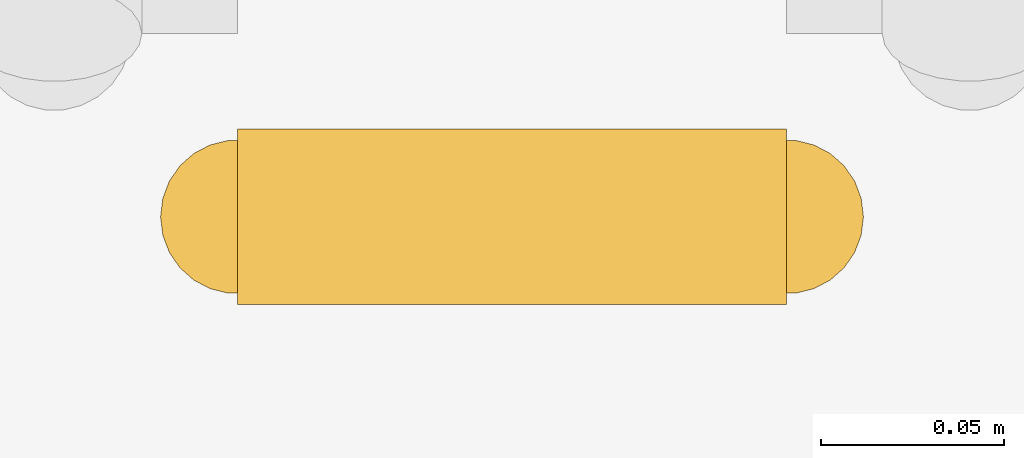
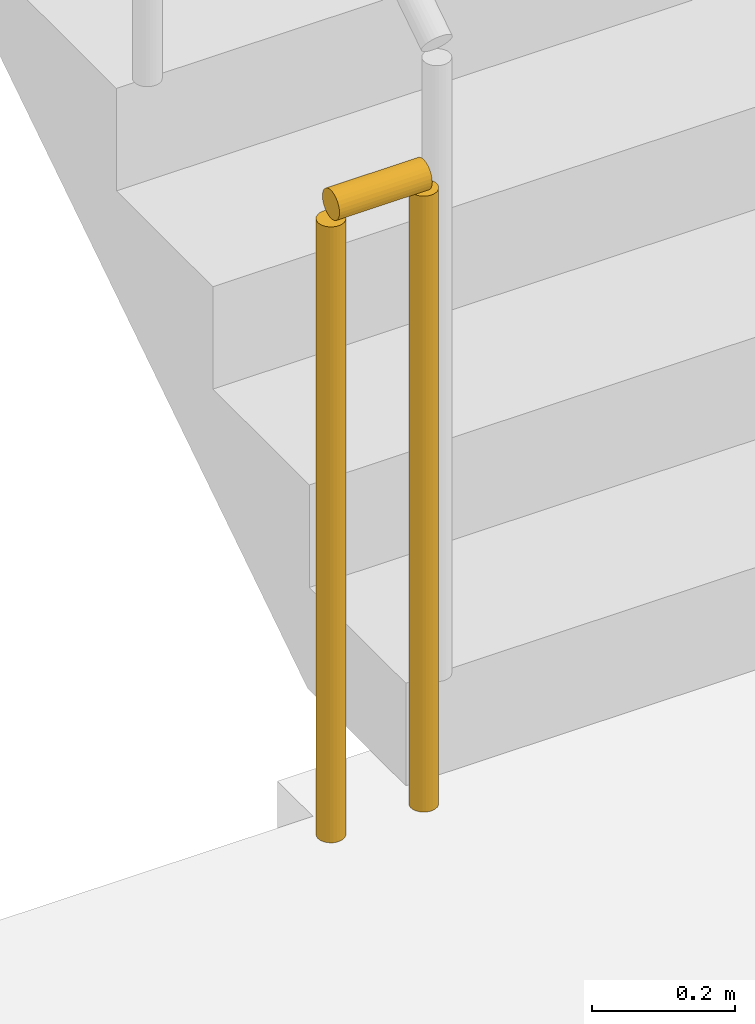
# One storey, part 16 of 19: 1 railing.
"""IFC4 building model written with IfcOpenShell, lengths in metres."""

import ifcopenshell
import ifcopenshell.guid

model = None  # the IFC model being written
_history = None  # IfcOwnerHistory: only IFC2X3 demands one
_inside = {}  # id of a spatial element -> (the spatial element, [elements in it])
_under = {}  # id of a project, library or spatial element -> (it, [spatial elements below it])
_declared = {}  # id of a project -> (the project, [libraries it declares])
_typed = {}  # id of a type object -> (the type object, [elements of that type])
_made_of = {}  # id of a material, layer set ... -> (it, [elements and type objects made of it])


def new_model(schema):
    """Start an empty IFC model of exactly this schema.

    Asked for "IFC4X3", IfcOpenShell would pick the latest addendum, in which some entities
    have other attributes; the version numbers below select the first issue.
    IFC2X3 requires an IfcOwnerHistory on every rooted entity: one is made here for all.
    """
    global model, _history
    if schema == "IFC4X3":
        model = ifcopenshell.file(schema_version=(4, 3, 0, 0))
    else:
        model = ifcopenshell.file(schema=schema)
    _inside.clear()
    _under.clear()
    _declared.clear()
    _typed.clear()
    _made_of.clear()
    _history = None
    if model.schema == "IFC2X3":
        org = make("IfcOrganization", Name="unknown")
        user = make(
            "IfcPersonAndOrganization",
            ThePerson=make("IfcPerson", FamilyName="unknown"),
            TheOrganization=org,
        )
        app = make(
            "IfcApplication",
            ApplicationDeveloper=org,
            Version="unknown",
            ApplicationFullName="unknown",
            ApplicationIdentifier="unknown",
        )
        _history = make(
            "IfcOwnerHistory",
            OwningUser=user,
            OwningApplication=app,
            ChangeAction="ADDED",
            CreationDate=0,
        )
    return model


def make(cls, **values):
    """One entity of the class cls with the attributes given. An attribute that is None is left unset."""
    return model.create_entity(
        cls, **{name: value for name, value in values.items() if value is not None}
    )


def rooted(cls, **values):
    """An entity with a GlobalId (a new one), such as an element, a storey or a relation."""
    return make(cls, GlobalId=ifcopenshell.guid.new(), OwnerHistory=_history, **values)


def si_unit(unit_type, name, prefix=None):
    """IfcSIUnit, for example si_unit("LENGTHUNIT", "METRE", prefix="MILLI")."""
    return make("IfcSIUnit", UnitType=unit_type, Prefix=prefix, Name=name)


def assignment(units):
    """IfcUnitAssignment: the units of a project."""
    return None if units is None else make("IfcUnitAssignment", Units=units)


def point(xyz):
    """IfcCartesianPoint."""
    return None if xyz is None else make("IfcCartesianPoint", Coordinates=xyz)


def direction(xyz):
    """IfcDirection."""
    return None if xyz is None else make("IfcDirection", DirectionRatios=xyz)


def frame(location, z_axis=None, x_axis=None):
    """IfcAxis2Placement3D, a coordinate frame: its origin and axes. An axis left out is left unset."""
    return make(
        "IfcAxis2Placement3D",
        Location=point(location),
        Axis=direction(z_axis),
        RefDirection=direction(x_axis),
    )


def frame_2d(location, x_axis=None):
    """IfcAxis2Placement2D, a coordinate frame in the plane: its origin and x axis."""
    return make(
        "IfcAxis2Placement2D", Location=point(location), RefDirection=direction(x_axis)
    )


def origin():
    """The frame at (0, 0, 0) with its axes left unset."""
    return frame((0.0, 0.0, 0.0))


def origin_2d():
    """The frame at (0, 0) in the plane with its x axis left unset."""
    return frame_2d((0.0, 0.0))


def place(relative_to, where):
    """IfcLocalPlacement: puts the frame where relative to a parent placement (None: the world)."""
    return make(
        "IfcLocalPlacement", PlacementRelTo=relative_to, RelativePlacement=where
    )


def context(
    kind, dimensions, precision=None, world=None, true_north=None, identifier=None
):
    """IfcGeometricRepresentationContext, for example the 3D "Model" context."""
    return make(
        "IfcGeometricRepresentationContext",
        ContextIdentifier=identifier,
        ContextType=kind,
        CoordinateSpaceDimension=dimensions,
        Precision=precision,
        WorldCoordinateSystem=world,
        TrueNorth=true_north,
    )


def subcontext(parent, identifier, kind, view, scale=None):
    """IfcGeometricRepresentationSubContext, for example "Body" below "Model"."""
    return make(
        "IfcGeometricRepresentationSubContext",
        ContextIdentifier=identifier,
        ContextType=kind,
        ParentContext=parent,
        TargetScale=scale,
        TargetView=view,
    )


def project(units=None, contexts=None):
    """IfcProject with its units and contexts."""
    return rooted(
        "IfcProject",
        Name="project",
        RepresentationContexts=contexts,
        UnitsInContext=assignment(units),
    )


def spatial(cls, under=None, at=None, **own):
    """A site, building, storey or space (cls), placed at a placement, below another one or the project."""
    s = rooted(cls, ObjectPlacement=at, **own)
    if under is not None:
        _under.setdefault(under.id(), (under, []))[1].append(s)
    return s


def profile(cls, at=None, kind="AREA", **sizes):
    """A parametric profile (cls). Its sizes go by their IFC names, for example OverallWidth=200.0."""
    return make(cls, ProfileType=kind, Position=at, **sizes)


def circle(**sizes):
    """IfcCircleProfileDef."""
    return profile("IfcCircleProfileDef", **sizes)


def extrude(swept, where, along, depth):
    """IfcExtrudedAreaSolid: the profile swept, set in the frame where, extruded along a direction by depth."""
    return make(
        "IfcExtrudedAreaSolid",
        SweptArea=swept,
        Position=where,
        ExtrudedDirection=direction(along),
        Depth=depth,
    )


def shape(context_of_items, identifier, shape_type, items):
    """IfcShapeRepresentation: the items that make up one representation, for example the "Body"."""
    return make(
        "IfcShapeRepresentation",
        ContextOfItems=context_of_items,
        RepresentationIdentifier=identifier,
        RepresentationType=shape_type,
        Items=items,
    )


def material(Name=None, Category=None):
    """IfcMaterial."""
    return make("IfcMaterial", Name=Name, Category=Category)


def made_of(thing, what):
    """Note that an element or type object is made of a material, layer set ...; save() writes the relation."""
    if what is not None:
        _made_of.setdefault(what.id(), (what, []))[1].append(thing)
    return thing


def type_object(cls, material=None, **own):
    """A type object (cls), such as IfcWallType, which elements share."""
    return made_of(rooted(cls, **own), material)


def element(
    cls,
    number,
    at=None,
    inside=None,
    cuts=None,
    type_object=None,
    material=None,
    context=None,
    identifier="Body",
    shape_type=None,
    held_by="IfcProductDefinitionShape",
    body=None,
    shapes=None,
    **own,
):
    """One element of the class cls, such as IfcWall. Its Tag is "e" and its number.

    at: its placement. inside: the storey or other place that contains it. cuts: it is an
    opening in that element (IfcRelVoidsElement). A single representation is given by context,
    identifier, shape_type and body (its items); several are given by shapes. held_by: the class
    of the entity that holds the representations. save() writes the other relations.
    """
    e = rooted(cls, Tag="e%d" % number, ObjectPlacement=at, **own)
    if body is not None:
        shapes = [shape(context, identifier, shape_type, body)]
    if shapes is not None:
        e.Representation = make(held_by, Representations=shapes)
    if inside is not None:
        _inside.setdefault(inside.id(), (inside, []))[1].append(e)
    if cuts is not None:
        rooted(
            "IfcRelVoidsElement", RelatingBuildingElement=cuts, RelatedOpeningElement=e
        )
    if type_object is not None:
        _typed.setdefault(type_object.id(), (type_object, []))[1].append(e)
    return made_of(e, material)


def aggregate(whole, parts):
    """IfcRelAggregates: a whole, such as a stair, and the parts it consists of."""
    return rooted("IfcRelAggregates", RelatingObject=whole, RelatedObjects=parts)


def save(model, path):
    """Write the relations noted so far, then the file.

    IfcRelAggregates (storeys below a building ...), IfcRelContainedInSpatialStructure (elements
    in a storey), IfcRelDefinesByType, IfcRelAssociatesMaterial and IfcRelDeclares: one each for
    every whole, place, type object, material and project.
    """
    for whole, parts in _under.values():
        aggregate(whole, parts)
    for where, things in _inside.values():
        rooted(
            "IfcRelContainedInSpatialStructure",
            RelatedElements=things,
            RelatingStructure=where,
        )
    for kind, things in _typed.values():
        rooted("IfcRelDefinesByType", RelatedObjects=things, RelatingType=kind)
    for what, things in _made_of.values():
        rooted("IfcRelAssociatesMaterial", RelatedObjects=things, RelatingMaterial=what)
    for by, libraries in _declared.values():
        rooted("IfcRelDeclares", RelatingContext=by, RelatedDefinitions=libraries)
    model.write(path)


model = new_model("IFC4")

# Units and contexts
model_context = context("Model", 3, precision=1e-05, world=origin(), true_north=direction((0.0, 1.0)))
body_context = subcontext(model_context, "Body", "Model", "MODEL_VIEW")
ifc_project = project(units=[si_unit("LENGTHUNIT", "METRE"), si_unit("AREAUNIT", "SQUARE_METRE"), si_unit("VOLUMEUNIT", "CUBIC_METRE"), si_unit("PLANEANGLEUNIT", "RADIAN"), si_unit("MASSUNIT", "GRAM", prefix="KILO")], contexts=[model_context])

# Site, building, storey
site_placement = place(None, origin())
site = spatial("IfcSite", under=ifc_project, at=site_placement, CompositionType="ELEMENT")
building_placement = place(site_placement, origin())
building = spatial("IfcBuilding", under=site, at=building_placement, Name="Saffron Iwan Residences", CompositionType="ELEMENT")
storey_placement = place(building_placement, frame((0.0, 0.0, 229.0)))
storey = spatial("IfcBuildingStorey", under=building, at=storey_placement, Name="L61", CompositionType="ELEMENT", Elevation=229.0)

# Railing
ifc_material = material(Name="Steel S355", Category="steel")
railing_type = type_object("IfcRailingType", Name="Stair guard 1100", PredefinedType="GUARDRAIL", material=ifc_material)
railing_placement = place(storey_placement, frame((69.699951171875, 67.800048828125, 0.0)))
element("IfcRailing", 1, at=railing_placement, inside=storey, type_object=railing_type, Name="L61 ST-E stair guard 2", PredefinedType="GUARDRAIL", context=body_context, shape_type="SweptSolid", body=[
    extrude(circle(Radius=0.02392578125, at=origin_2d()), frame((0.0, 0.0, 1.076171875), z_axis=(-1.0, 0.0, 0.0), x_axis=(0.0, -1.0, 0.0)), (0.0, 0.0, 1.0), 0.14990234375),
    extrude(circle(Radius=0.02099609375, at=origin_2d()), origin(), (0.0, 0.0, 1.0), 1.052001953125),
    extrude(circle(Radius=0.02099609375, at=origin_2d()), frame((-0.14990234375, 0.0, 0.0)), (0.0, 0.0, 1.0), 1.052001953125),
])

save(model, "model.ifc")
